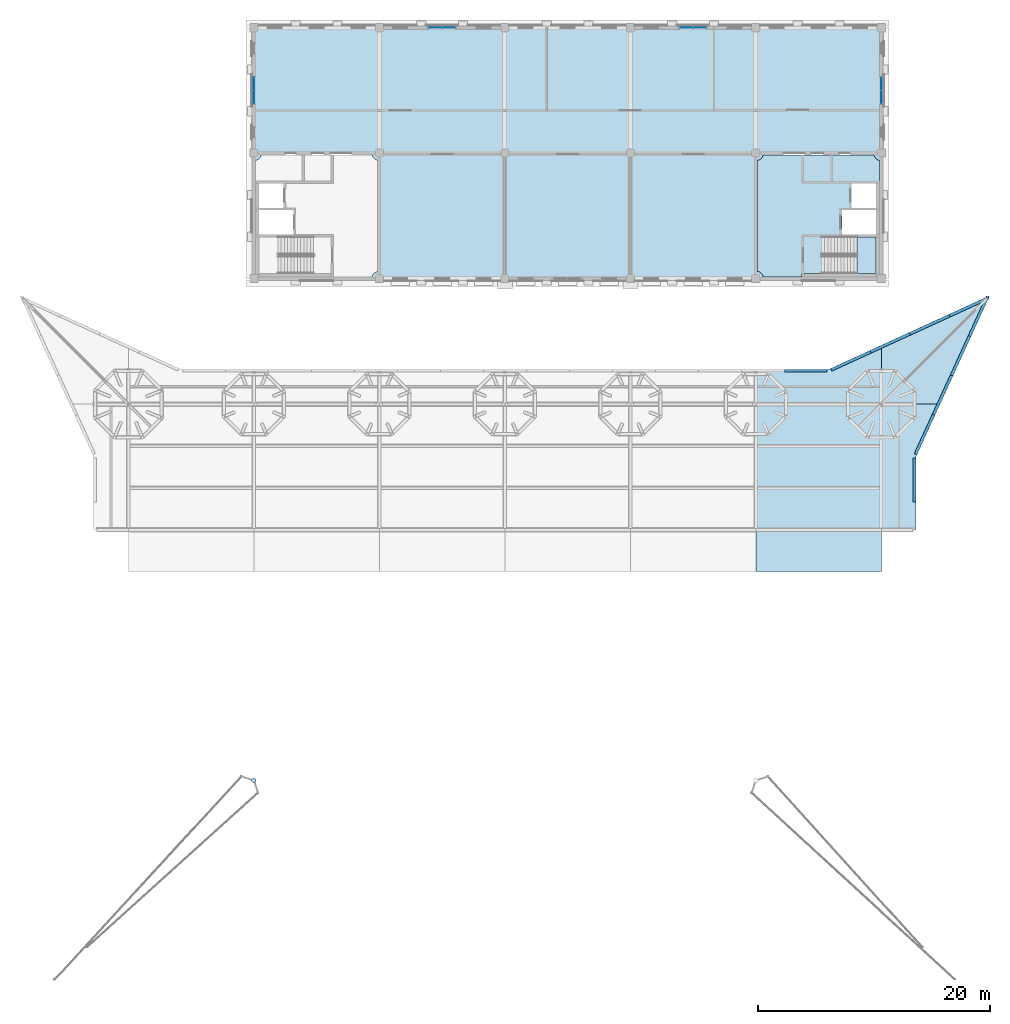
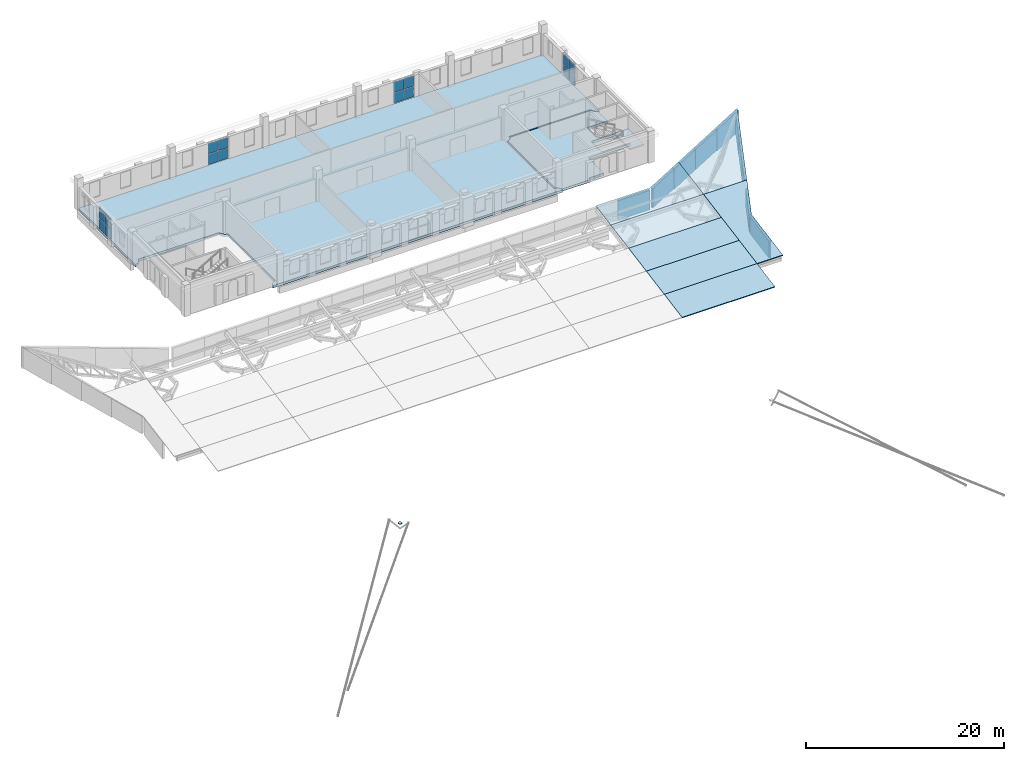
# One storey, part 14 of 32: 27 plates, 10 slabs, 5 elements without a shape of their own.
"""IFC4 building model written with IfcOpenShell, lengths in metres."""

from ifc_helpers import new_model, si_unit, direction, frame, origin, origin_2d, place, context, subcontext, project, spatial, polyline, rectangle, circle, outline, extrude, material, layer, layer_set, material_profile, profile_set, type_object, element, aggregate, save


model = new_model("IFC4")

# Units and contexts
model_context = context("Model", 3, precision=1e-05, world=origin(), true_north=direction((0.0, 1.0)))
body_context = subcontext(model_context, "Body", "Model", "MODEL_VIEW")
ifc_project = project(units=[si_unit("LENGTHUNIT", "METRE"), si_unit("AREAUNIT", "SQUARE_METRE"), si_unit("VOLUMEUNIT", "CUBIC_METRE"), si_unit("PLANEANGLEUNIT", "RADIAN"), si_unit("MASSUNIT", "GRAM", prefix="KILO")], contexts=[model_context])

# Site, building, storey
site_placement = place(None, origin())
site = spatial("IfcSite", under=ifc_project, at=site_placement, CompositionType="ELEMENT")
building_placement = place(site_placement, origin())
building = spatial("IfcBuilding", under=site, at=building_placement, Name="Magnolia Steps Interchange", CompositionType="ELEMENT")
storey_placement = place(building_placement, frame((0.0, 0.0, 16.5)))
storey = spatial("IfcBuildingStorey", under=building, at=storey_placement, Name="L04", CompositionType="ELEMENT", Elevation=16.5)

# Slabs
ifc_material_1 = material(Name="Concrete C30", Category="concrete")
ifc_layer_1 = layer(ifc_material_1, 0.10009765625)
ifc_layer_set_1 = layer_set([ifc_layer_1], Name="Composite roof deck 100")
slab_type_1 = type_object("IfcSlabType", Name="Composite roof deck 100", PredefinedType="ROOF", material=ifc_layer_set_1)
slab_1_placement = place(storey_placement, frame((118.0, 71.199951171875, -0.182861328125), z_axis=(0.0, -0.179912650592, 0.983682590146), x_axis=(0.0, 0.983682590146, 0.179912650592)))
element("IfcSlab", 1, at=slab_1_placement, inside=storey, type_object=slab_type_1, Name="Composite roof deck panel", PredefinedType="ROOF", context=body_context, shape_type="SweptSolid", body=[
    extrude(outline(polyline([(0.0, 0.0), (3.65981638, 0.0), (3.65981638, 10.800048828), (0.0, 10.800048828), (0.0, 0.0)])), origin(), (-0.179912650592, 0.0, -0.983682590146), 0.1015625),
])
slab_2_placement = place(storey_placement, frame((118.0, 74.800048828125, 0.4755859375), z_axis=(0.0, -0.179989009178, 0.983668621323), x_axis=(0.0, 0.983668621323, 0.179989009178)))
element("IfcSlab", 2, at=slab_2_placement, inside=storey, type_object=slab_type_1, Name="Composite roof deck panel", PredefinedType="ROOF", context=body_context, shape_type="SweptSolid", body=[
    extrude(outline(polyline([(0.0, 0.0), (3.659620158, 0.0), (3.659620158, 10.800048828), (0.0, 10.800048828), (0.0, 0.0)])), origin(), (-0.179989009178, 0.0, -0.983668621323), 0.1015625),
])
for number, where, z_axis, x_axis, name in (
    (3, (118.0, 78.39990234375, 1.13427734375), (0.0, -0.179912650592, 0.983682590146), (0.0, 0.983682590146, 0.179912650592), "Composite roof deck panel"),
    (4, (118.0, 82.0, 1.792724609375), (0.0, -0.179912650592, 0.983682590146), (0.0, 0.983682590146, 0.179912650592), "Composite roof deck panel"),
):
    element("IfcSlab", number, at=place(storey_placement, frame(where, z_axis=z_axis, x_axis=x_axis)), inside=storey, type_object=slab_type_1, Name=name, PredefinedType="ROOF", context=body_context, shape_type="SweptSolid", body=[
        extrude(outline(polyline([(0.0, 0.0), (3.65981638, 0.0), (3.65981638, 10.800048828), (0.0, 10.800048828), (0.0, 0.0)])), origin(), (-0.179912650592, 0.0, -0.983682590146), 0.1015625),
    ])
slab_3_placement = place(storey_placement, frame((107.199951171875, 88.60009765625, 3.0), z_axis=(-1.424793e-06, -0.179958171072, 0.983674263495), x_axis=(3e-12, -0.983674263496, -0.179958171072)))
element("IfcSlab", 5, at=slab_3_placement, inside=storey, type_object=slab_type_1, Name="Composite roof deck panel", PredefinedType="ROOF", context=body_context, shape_type="SweptSolid", body=[
    extrude(outline(polyline([(0.0, 0.0), (3.049788896, 0.0), (3.049788896, 10.800048828), (-2.09450257, 10.800048828), (0.0, 6.300048828), (0.0, 0.0)])), origin(), (0.179958171072, -1.401533e-06, -0.983674263495), 0.1015625),
])
slab_4_placement = place(storey_placement, frame((123.060302734375, 85.60009765625, 2.451171875), z_axis=(-2.2810252e-05, -0.179933892042, 0.983678704646), x_axis=(-0.99999999974, 4.104337e-06, -2.243796e-05)))
element("IfcSlab", 6, at=slab_4_placement, inside=storey, type_object=slab_type_1, Name="Composite roof deck panel", PredefinedType="ROOF", context=body_context, shape_type="SweptSolid", body=[
    extrude(outline(polyline([(0.0, 0.0), (5.060302733, 0.0), (5.060302734, 10.979252911), (2.060302735, 10.979252911), (2.060302731, 4.574639414), (0.0, 0.0)])), origin(), (2.243796e-05, 0.179933892089, -0.983678704646), 0.1015625),
])
slab_5_placement = place(storey_placement, frame((118.0, 90.660400390625, 3.376953125), z_axis=(4.539669e-06, -0.179958437245, 0.983674214791), x_axis=(2e-11, -0.983674214801, -0.179958437247)))
element("IfcSlab", 7, at=slab_5_placement, inside=storey, type_object=slab_type_1, Name="Composite roof deck panel", PredefinedType="ROOF", context=body_context, shape_type="SweptSolid", body=[
    extrude(outline(polyline([(0.0, 0.0), (5.144291466, 0.0), (5.144291466, 5.060302734), (-4.344350677, 9.333740235), (0.0, 0.0)])), origin(), (0.179958437247, 4.465551e-06, -0.983674214791), 0.1015625),
])
ifc_material_2 = material(Name="Concrete C35", Category="concrete")
ifc_layer_2 = layer(ifc_material_2, 0.300048828125)
ifc_layer_set_2 = layer_set([ifc_layer_2], Name="Core floor slab 300")
slab_type_2 = type_object("IfcSlabType", Name="Core floor slab 300", PredefinedType="FLOOR", material=ifc_layer_set_2)
slab_6_placement = place(storey_placement, frame((0.0, 0.0, -0.300048828125)))
element("IfcSlab", 8, at=slab_6_placement, inside=storey, type_object=slab_type_2, Name="L04 core floor OC-E", PredefinedType="FLOOR", context=body_context, shape_type="SweptSolid", body=[
    extrude(outline(polyline([(107.35009765625, 106.568359375), (107.388671875, 106.577880859375), (107.44873046875, 106.599609375), (107.50634765625, 106.626708984375), (107.56103515625, 106.659423828125), (107.6123046875, 106.697509765625), (107.65966796875, 106.740478515625), (107.702392578125, 106.78759765625), (107.740478515625, 106.8388671875), (107.773193359375, 106.8935546875), (107.800537109375, 106.951416015625), (107.822021484375, 107.01123046875), (107.831787109375, 107.050048828125), (117.368408203125, 107.050048828125), (117.3779296875, 107.01123046875), (117.3994140625, 106.951416015625), (117.4267578125, 106.8935546875), (117.45947265625, 106.8388671875), (117.49755859375, 106.78759765625), (117.540283203125, 106.740478515625), (117.587646484375, 106.697509765625), (117.638916015625, 106.659423828125), (117.693603515625, 106.626708984375), (117.751220703125, 106.599609375), (117.811279296875, 106.577880859375), (117.85009765625, 106.568359375), (117.85009765625, 104.60009765625), (115.449951171875, 104.60009765625), (115.449951171875, 102.5), (117.85009765625, 102.5), (117.85009765625, 102.300048828125), (114.60009765625, 102.300048828125), (114.60009765625, 100.199951171875), (117.85009765625, 100.199951171875), (117.85009765625, 100.0), (112.89990234375, 100.0), (112.89990234375, 96.85009765625), (111.14990234375, 96.85009765625), (111.14990234375, 96.550048828125), (107.831787109375, 96.550048828125), (107.822021484375, 96.588623046875), (107.800537109375, 96.648681640625), (107.773193359375, 96.706298828125), (107.740478515625, 96.760986328125), (107.702392578125, 96.8125), (107.65966796875, 96.859619140625), (107.6123046875, 96.902587890625), (107.56103515625, 96.9404296875), (107.50634765625, 96.97314453125), (107.44873046875, 97.00048828125), (107.388671875, 97.02197265625), (107.35009765625, 97.03173828125), (107.35009765625, 106.568359375)])), origin(), (0.0, 0.0, 1.0), 0.300048828125),
])

# Plate
ifc_material_3 = material(Name="Steel Q355B", Category="steel")
ifc_material_profile = material_profile(ifc_material_3, circle(Radius=0.202880859375, at=origin_2d()), Name="End plate CHS406x16")
ifc_profile_set = profile_set([ifc_material_profile], Name="Steel Q355B")
plate_type_1 = type_object("IfcPlateType", Name="End plate CHS406x16", PredefinedType="SHEET", material=ifc_profile_set)
plate_1_placement = place(storey_placement, frame((64.0, 53.199951171875, 0.548828125), z_axis=(0.0, 0.0, 1.0), x_axis=(1.0, 0.0, 0.0)))
element("IfcPlate", 9, at=plate_1_placement, inside=storey, type_object=plate_type_1, Name="End plate Mast", PredefinedType="SHEET", context=body_context, shape_type="SweptSolid", body=[
    extrude(circle(Radius=0.202880859375, at=origin_2d()), origin(), (0.0, 0.0, 1.0), 0.008056640625),
])

# Stair, slab
ifc_material_4 = material(Name="Concrete C40", Category="concrete")
stair_type = type_object("IfcStairType", Name="Exit stair 1500", PredefinedType="HALF_TURN_STAIR", material=ifc_material_4)
stair_placement = place(storey_placement, origin())
stair = element("IfcStair", 10, at=stair_placement, inside=storey, type_object=stair_type, Name="L04 Stair 29", PredefinedType="HALF_TURN_STAIR")
ifc_material_5 = material(Name="Concrete C40", Category="concrete")
ifc_layer_3 = layer(ifc_material_5, 0.199951171875)
ifc_layer_set_3 = layer_set([ifc_layer_3], Name="Exit stair landing 200")
slab_type_3 = type_object("IfcSlabType", Name="Exit stair landing 200", PredefinedType="LANDING", material=ifc_layer_set_3)
slab_7_placement = place(storey_placement, frame((0.0, 0.0, 1.75)))
slab_7 = element("IfcSlab", 11, at=slab_7_placement, type_object=slab_type_3, Name="Stair 29 landing 1", PredefinedType="LANDING", context=body_context, shape_type="SweptSolid", body=[
    extrude(outline(polyline([(115.929931640625, 96.85009765625), (117.550048828125, 96.85009765625), (117.550048828125, 100.0), (115.929931640625, 100.0), (115.929931640625, 96.85009765625)])), origin(), (0.0, 0.0, 1.0), 0.199951171875),
])
aggregate(stair, [slab_7])

# Plates
ifc_material_6 = material(Name="White painted steel", Category="steel")
ifc_layer_4 = layer(ifc_material_6, 0.25)
ifc_layer_set_4 = layer_set([ifc_layer_4], Name="Fascia plate 250")
plate_type_2 = type_object("IfcPlateType", Name="Fascia plate 250", PredefinedType="SHEET", material=ifc_layer_set_4)
plate_2_placement = place(storey_placement, frame((121.0, 77.183349609375, -1.2900390625), z_axis=(0.999999553009, -0.000170153121, 0.000930069921), x_axis=(2.965e-08, 0.983679608708, 0.179928951012)))
element("IfcPlate", 12, at=plate_2_placement, inside=storey, type_object=plate_type_2, Name="Sloping fascia plate", PredefinedType="SHEET", context=body_context, shape_type="SweptSolid", body=[
    extrude(outline(polyline([(0.0, 0.0), (3.829093873, 0.0), (4.206962241, 2.065824164), (0.37782444, 2.065584008), (0.0, 0.0)])), origin(), (0.0, 0.0, -1.0), 0.25),
])
plate_3_placement = place(storey_placement, frame((121.0625, 81.236328125, -0.648681640625), z_axis=(0.909162066015, -0.416441351258, 0.000968855491), x_axis=(0.41065506486, 0.896911287194, 0.164050481889)))
element("IfcPlate", 13, at=plate_3_placement, inside=storey, type_object=plate_type_2, Name="Sloping fascia plate", PredefinedType="SHEET", context=body_context, shape_type="SweptSolid", body=[
    extrude(outline(polyline([(0.0, 0.0), (3.780039104, 0.0), (4.140797011, 2.170171247), (0.361016931, 2.170375764), (0.0, 0.0)])), origin(), (0.0, 0.0, -1.0), 0.25),
])
plate_4_placement = place(storey_placement, frame((122.61474609375, 84.626708984375, -0.12841796875), z_axis=(0.909160861618, -0.416444124992, 0.000904688633), x_axis=(0.410666682478, 0.89690423194, 0.164059972663)))
element("IfcPlate", 14, at=plate_4_placement, inside=storey, type_object=plate_type_2, Name="Sloping fascia plate", PredefinedType="SHEET", context=body_context, shape_type="SweptSolid", body=[
    extrude(outline(polyline([(0.0, 0.0), (3.779820132, 0.0), (4.157020909, 2.268909107), (0.377160723, 2.268668275), (0.0, 0.0)])), origin(), (0.0, 0.0, -1.0), 0.25),
])
plate_5_placement = place(storey_placement, frame((124.1669921875, 88.016845703125, 0.3916015625), z_axis=(0.909190491769, -0.416379605768, 0.000820717919), x_axis=(0.410611488456, 0.896918941931, 0.164117692995)))
element("IfcPlate", 15, at=plate_5_placement, inside=storey, type_object=plate_type_2, Name="Sloping fascia plate", PredefinedType="SHEET", context=body_context, shape_type="SweptSolid", body=[
    extrude(outline(polyline([(0.0, 0.0), (3.779978915, 0.0), (4.173800546, 2.367369685), (0.393761451, 2.367627379), (0.0, 0.0)])), origin(), (0.0, 0.0, -1.0), 0.25),
])
plate_6_placement = place(storey_placement, frame((125.718994140625, 91.4072265625, 0.911865234375), z_axis=(0.909156657632, -0.416453540153, 0.000787894097), x_axis=(0.41069365803, 0.896892680382, 0.164055597685)))
element("IfcPlate", 16, at=plate_6_placement, inside=storey, type_object=plate_type_2, Name="Sloping fascia plate", PredefinedType="SHEET", context=body_context, shape_type="SweptSolid", body=[
    extrude(outline(polyline([(0.0, 0.0), (3.779920398, 0.0), (4.18991416, 2.466152764), (0.410094029, 2.466135911), (0.0, 0.0)])), origin(), (0.0, 0.0, -1.0), 0.25),
])
plate_7_placement = place(storey_placement, frame((127.197509765625, 94.871337890625, 1.445556640625), z_axis=(-0.41632169229, 0.909217050338, 0.000777113033), x_axis=(-0.906617372766, -0.415066430462, -0.075926264906)))
element("IfcPlate", 17, at=plate_7_placement, inside=storey, type_object=plate_type_2, Name="Sloping fascia plate", PredefinedType="SHEET", context=body_context, shape_type="SweptSolid", body=[
    extrude(outline(polyline([(0.0, 0.0), (3.739621598, 0.0), (3.542029868, 2.592579642), (-0.197269053, 2.592604307), (0.0, 0.0)])), origin(), (0.0, 0.0, -1.0), 0.25),
])
plate_8_placement = place(storey_placement, frame((123.80712890625, 93.319091796875, 1.26171875), z_axis=(-0.416347840579, 0.909205088087, 0.000763833307), x_axis=(-0.906604707699, -0.415093270825, -0.075930761181)))
element("IfcPlate", 18, at=plate_8_placement, inside=storey, type_object=plate_type_2, Name="Sloping fascia plate", PredefinedType="SHEET", context=body_context, shape_type="SweptSolid", body=[
    extrude(outline(polyline([(0.0, 0.0), (3.739400259, 0.0), (3.549618727, 2.492786879), (-0.190002871, 2.492770102), (0.0, 0.0)])), origin(), (0.0, 0.0, -1.0), 0.25),
])
plate_9_placement = place(storey_placement, frame((120.4169921875, 91.766845703125, 0.977783203125), z_axis=(-0.41634788605, 0.909205067265, 0.000763833308), x_axis=(-0.906600520198, -0.415091357339, -0.075991195797)))
element("IfcPlate", 19, at=plate_9_placement, inside=storey, type_object=plate_type_2, Name="Sloping fascia plate", PredefinedType="SHEET", context=body_context, shape_type="SweptSolid", body=[
    extrude(outline(polyline([(0.0, 0.0), (3.739640143, 0.0), (3.549486186, 2.492758581), (-0.189932619, 2.492775372), (0.0, 0.0)])), origin(), (0.0, 0.0, -1.0), 0.25),
])
plate_10_placement = place(storey_placement, frame((117.026611328125, 90.214599609375, 0.793701171875), z_axis=(-0.416350009492, 0.909204067597, 0.000795651646), x_axis=(-0.906604718573, -0.415093247159, -0.075930760728)))
element("IfcPlate", 20, at=plate_10_placement, inside=storey, type_object=plate_type_2, Name="Sloping fascia plate", PredefinedType="SHEET", context=body_context, shape_type="SweptSolid", body=[
    extrude(outline(polyline([(0.0, 0.0), (3.739400259, 0.0), (3.557200682, 2.39322166), (-0.182402379, 2.39296145), (0.0, 0.0)])), origin(), (0.0, 0.0, -1.0), 0.25),
])
plate_11_placement = place(storey_placement, frame((113.35009765625, 88.60009765625, 0.498291015625), z_axis=(0.0, 0.999999580956, 0.000915471084), x_axis=(-1.0, 0.0, 0.0)))
element("IfcPlate", 21, at=plate_11_placement, inside=storey, type_object=plate_type_2, Name="Sloping fascia plate", PredefinedType="SHEET", context=body_context, shape_type="SweptSolid", body=[
    extrude(outline(polyline([(0.0, 0.0), (3.700195312, 0.0), (3.700195312, 2.40014749), (0.0, 2.40014749), (0.0, 0.0)])), origin(), (0.0, 0.0, -1.0), 0.25),
])

# Slab
ifc_material_7 = material(Name="Concrete C40", Category="concrete")
ifc_layer_5 = layer(ifc_material_7, 0.300048828125)
ifc_layer_set_5 = layer_set([ifc_layer_5], Name="Floor slab 300")
slab_type_4 = type_object("IfcSlabType", Name="Floor slab 300", PredefinedType="FLOOR", material=ifc_layer_set_5)
slab_8_placement = place(storey_placement, frame((0.0, 0.0, -0.300048828125)))
element("IfcSlab", 22, at=slab_8_placement, inside=storey, type_object=slab_type_4, Name="Operations floor L04", PredefinedType="FLOOR", context=body_context, shape_type="SweptSolid", body=[
    extrude(outline(polyline([(64.0, 106.550048828125), (64.063720703125, 106.552978515625), (64.126708984375, 106.5625), (64.188720703125, 106.577880859375), (64.248779296875, 106.599609375), (64.306396484375, 106.626708984375), (64.361083984375, 106.659423828125), (64.412353515625, 106.697509765625), (64.459716796875, 106.740478515625), (64.50244140625, 106.78759765625), (64.54052734375, 106.8388671875), (64.5732421875, 106.8935546875), (64.6005859375, 106.951416015625), (64.6220703125, 107.01123046875), (64.637451171875, 107.0732421875), (64.64697265625, 107.13623046875), (64.64990234375, 107.199951171875), (74.14990234375, 107.199951171875), (74.153076171875, 107.13623046875), (74.16259765625, 107.0732421875), (74.177978515625, 107.01123046875), (74.199462890625, 106.951416015625), (74.226806640625, 106.8935546875), (74.259521484375, 106.8388671875), (74.297607421875, 106.78759765625), (74.34033203125, 106.740478515625), (74.3876953125, 106.697509765625), (74.43896484375, 106.659423828125), (74.49365234375, 106.626708984375), (74.55126953125, 106.599609375), (74.611328125, 106.577880859375), (74.673095703125, 106.5625), (74.736328125, 106.552978515625), (74.800048828125, 106.550048828125), (74.800048828125, 97.050048828125), (74.736328125, 97.046875), (74.673095703125, 97.03759765625), (74.611328125, 97.02197265625), (74.55126953125, 97.00048828125), (74.49365234375, 96.97314453125), (74.43896484375, 96.9404296875), (74.3876953125, 96.902587890625), (74.34033203125, 96.859619140625), (74.297607421875, 96.8125), (74.259521484375, 96.760986328125), (74.226806640625, 96.706298828125), (74.199462890625, 96.648681640625), (74.177978515625, 96.588623046875), (74.16259765625, 96.52685546875), (74.153076171875, 96.463623046875), (74.14990234375, 96.39990234375), (107.85009765625, 96.39990234375), (107.846923828125, 96.463623046875), (107.83740234375, 96.52685546875), (107.822021484375, 96.588623046875), (107.800537109375, 96.648681640625), (107.773193359375, 96.706298828125), (107.740478515625, 96.760986328125), (107.702392578125, 96.8125), (107.65966796875, 96.859619140625), (107.6123046875, 96.902587890625), (107.56103515625, 96.9404296875), (107.50634765625, 96.97314453125), (107.44873046875, 97.00048828125), (107.388671875, 97.02197265625), (107.326904296875, 97.03759765625), (107.263671875, 97.046875), (107.199951171875, 97.050048828125), (107.199951171875, 106.550048828125), (107.263671875, 106.552978515625), (107.326904296875, 106.5625), (107.388671875, 106.577880859375), (107.44873046875, 106.599609375), (107.50634765625, 106.626708984375), (107.56103515625, 106.659423828125), (107.6123046875, 106.697509765625), (107.65966796875, 106.740478515625), (107.702392578125, 106.78759765625), (107.740478515625, 106.8388671875), (107.773193359375, 106.8935546875), (107.800537109375, 106.951416015625), (107.822021484375, 107.01123046875), (107.83740234375, 107.0732421875), (107.846923828125, 107.13623046875), (107.85009765625, 107.199951171875), (117.35009765625, 107.199951171875), (117.35302734375, 107.13623046875), (117.362548828125, 107.0732421875), (117.3779296875, 107.01123046875), (117.3994140625, 106.951416015625), (117.4267578125, 106.8935546875), (117.45947265625, 106.8388671875), (117.49755859375, 106.78759765625), (117.540283203125, 106.740478515625), (117.587646484375, 106.697509765625), (117.638916015625, 106.659423828125), (117.693603515625, 106.626708984375), (117.751220703125, 106.599609375), (117.811279296875, 106.577880859375), (117.873291015625, 106.5625), (117.936279296875, 106.552978515625), (118.0, 106.550048828125), (118.0, 118.0), (64.0, 118.0), (64.0, 106.550048828125)])), origin(), (0.0, 0.0, 1.0), 0.300048828125),
])

# Curtain wall, plates
ifc_material_8 = material(Name="Powder-coated aluminium and glass", Category="aluminium")
ifc_layer_6 = layer(ifc_material_8, 0.199951171875)
ifc_layer_set_6 = layer_set([ifc_layer_6], Name="Glazed central bay curtain wall")
curtain_wall_type = type_object("IfcCurtainWallType", Name="Glazed central bay curtain wall", PredefinedType="NOTDEFINED", material=ifc_layer_set_6)
curtain_wall_1_placement = place(storey_placement, origin())
curtain_wall_1 = element("IfcCurtainWall", 23, at=curtain_wall_1_placement, inside=storey, type_object=curtain_wall_type, Name="Operations building north wall L04 glazing 2", PredefinedType="NOTDEFINED")
ifc_material_9 = material(Name="Laminated glass", Category="glass")
ifc_layer_7 = layer(ifc_material_9, 0.028076171875)
ifc_layer_set_7 = layer_set([ifc_layer_7], Name="Glass panel 28")
plate_type_3 = type_object("IfcPlateType", Name="Glass panel 28", PredefinedType="CURTAIN_PANEL", material=ifc_layer_set_7)
plate_12_placement = place(storey_placement, frame((79.614990234375, 118.0, 0.06005859375), z_axis=(0.0, 0.0, 1.0), x_axis=(1.0, 0.0, 0.0)))
plate_12 = element("IfcPlate", 24, at=plate_12_placement, type_object=plate_type_3, Name="CW2 panel 1.1", PredefinedType="CURTAIN_PANEL", context=body_context, shape_type="SweptSolid", body=[
    extrude(rectangle(XDim=1.110107421875, YDim=0.028076171875, at=origin_2d()), origin(), (0.0, 0.0, 1.0), 1.260009765625),
])
plate_13_placement = place(storey_placement, frame((79.614990234375, 118.0, 1.3798828125), z_axis=(0.0, 0.0, 1.0), x_axis=(1.0, 0.0, 0.0)))
plate_13 = element("IfcPlate", 25, at=plate_13_placement, type_object=plate_type_3, Name="CW2 panel 1.2", PredefinedType="CURTAIN_PANEL", context=body_context, shape_type="SweptSolid", body=[
    extrude(rectangle(XDim=1.110107421875, YDim=0.028076171875, at=origin_2d()), origin(), (0.0, 0.0, 1.0), 1.260009765625),
])
plate_14_placement = place(storey_placement, frame((80.784912109375, 118.0, 0.06005859375), z_axis=(0.0, 0.0, 1.0), x_axis=(1.0, 0.0, 0.0)))
plate_14 = element("IfcPlate", 26, at=plate_14_placement, type_object=plate_type_3, Name="CW2 panel 2.1", PredefinedType="CURTAIN_PANEL", context=body_context, shape_type="SweptSolid", body=[
    extrude(rectangle(XDim=1.110107421875, YDim=0.028076171875, at=origin_2d()), origin(), (0.0, 0.0, 1.0), 1.260009765625),
])
plate_15_placement = place(storey_placement, frame((80.784912109375, 118.0, 1.3798828125), z_axis=(0.0, 0.0, 1.0), x_axis=(1.0, 0.0, 0.0)))
plate_15 = element("IfcPlate", 27, at=plate_15_placement, type_object=plate_type_3, Name="CW2 panel 2.2", PredefinedType="CURTAIN_PANEL", context=body_context, shape_type="SweptSolid", body=[
    extrude(rectangle(XDim=1.110107421875, YDim=0.028076171875, at=origin_2d()), origin(), (0.0, 0.0, 1.0), 1.260009765625),
])
aggregate(curtain_wall_1, [plate_12, plate_13, plate_14, plate_15])

curtain_wall_2_placement = place(storey_placement, origin())
curtain_wall_2 = element("IfcCurtainWall", 28, at=curtain_wall_2_placement, inside=storey, type_object=curtain_wall_type, Name="Operations building north wall L04 glazing 4", PredefinedType="NOTDEFINED")
plate_16_placement = place(storey_placement, frame((101.215087890625, 118.0, 0.06005859375), z_axis=(0.0, 0.0, 1.0), x_axis=(1.0, 0.0, 0.0)))
plate_16 = element("IfcPlate", 29, at=plate_16_placement, type_object=plate_type_3, Name="CW2 panel 1.1", PredefinedType="CURTAIN_PANEL", context=body_context, shape_type="SweptSolid", body=[
    extrude(rectangle(XDim=1.110107421875, YDim=0.028076171875, at=origin_2d()), origin(), (0.0, 0.0, 1.0), 1.260009765625),
])
plate_17_placement = place(storey_placement, frame((101.215087890625, 118.0, 1.3798828125), z_axis=(0.0, 0.0, 1.0), x_axis=(1.0, 0.0, 0.0)))
plate_17 = element("IfcPlate", 30, at=plate_17_placement, type_object=plate_type_3, Name="CW2 panel 1.2", PredefinedType="CURTAIN_PANEL", context=body_context, shape_type="SweptSolid", body=[
    extrude(rectangle(XDim=1.110107421875, YDim=0.028076171875, at=origin_2d()), origin(), (0.0, 0.0, 1.0), 1.260009765625),
])
plate_18_placement = place(storey_placement, frame((102.385009765625, 118.0, 0.06005859375), z_axis=(0.0, 0.0, 1.0), x_axis=(1.0, 0.0, 0.0)))
plate_18 = element("IfcPlate", 31, at=plate_18_placement, type_object=plate_type_3, Name="CW2 panel 2.1", PredefinedType="CURTAIN_PANEL", context=body_context, shape_type="SweptSolid", body=[
    extrude(rectangle(XDim=1.110107421875, YDim=0.028076171875, at=origin_2d()), origin(), (0.0, 0.0, 1.0), 1.260009765625),
])
plate_19_placement = place(storey_placement, frame((102.385009765625, 118.0, 1.3798828125), z_axis=(0.0, 0.0, 1.0), x_axis=(1.0, 0.0, 0.0)))
plate_19 = element("IfcPlate", 32, at=plate_19_placement, type_object=plate_type_3, Name="CW2 panel 2.2", PredefinedType="CURTAIN_PANEL", context=body_context, shape_type="SweptSolid", body=[
    extrude(rectangle(XDim=1.110107421875, YDim=0.028076171875, at=origin_2d()), origin(), (0.0, 0.0, 1.0), 1.260009765625),
])
aggregate(curtain_wall_2, [plate_16, plate_17, plate_18, plate_19])

curtain_wall_3_placement = place(storey_placement, origin())
curtain_wall_3 = element("IfcCurtainWall", 33, at=curtain_wall_3_placement, inside=storey, type_object=curtain_wall_type, Name="Operations building west wall L04 glazing 2", PredefinedType="NOTDEFINED")
plate_20_placement = place(storey_placement, frame((64.0, 112.014892578125, 0.06005859375), z_axis=(0.0, 0.0, 1.0), x_axis=(0.0, 1.0, 0.0)))
plate_20 = element("IfcPlate", 34, at=plate_20_placement, type_object=plate_type_3, Name="CW2 panel 1.1", PredefinedType="CURTAIN_PANEL", context=body_context, shape_type="SweptSolid", body=[
    extrude(rectangle(XDim=1.110107421875, YDim=0.028076171875, at=origin_2d()), origin(), (0.0, 0.0, 1.0), 1.260009765625),
])
plate_21_placement = place(storey_placement, frame((64.0, 112.014892578125, 1.3798828125), z_axis=(0.0, 0.0, 1.0), x_axis=(0.0, 1.0, 0.0)))
plate_21 = element("IfcPlate", 35, at=plate_21_placement, type_object=plate_type_3, Name="CW2 panel 1.2", PredefinedType="CURTAIN_PANEL", context=body_context, shape_type="SweptSolid", body=[
    extrude(rectangle(XDim=1.110107421875, YDim=0.028076171875, at=origin_2d()), origin(), (0.0, 0.0, 1.0), 1.260009765625),
])
plate_22_placement = place(storey_placement, frame((64.0, 113.18505859375, 0.06005859375), z_axis=(0.0, 0.0, 1.0), x_axis=(0.0, 1.0, 0.0)))
plate_22 = element("IfcPlate", 36, at=plate_22_placement, type_object=plate_type_3, Name="CW2 panel 2.1", PredefinedType="CURTAIN_PANEL", context=body_context, shape_type="SweptSolid", body=[
    extrude(rectangle(XDim=1.110107421875, YDim=0.028076171875, at=origin_2d()), origin(), (0.0, 0.0, 1.0), 1.260009765625),
])
plate_23_placement = place(storey_placement, frame((64.0, 113.18505859375, 1.3798828125), z_axis=(0.0, 0.0, 1.0), x_axis=(0.0, 1.0, 0.0)))
plate_23 = element("IfcPlate", 37, at=plate_23_placement, type_object=plate_type_3, Name="CW2 panel 2.2", PredefinedType="CURTAIN_PANEL", context=body_context, shape_type="SweptSolid", body=[
    extrude(rectangle(XDim=1.110107421875, YDim=0.028076171875, at=origin_2d()), origin(), (0.0, 0.0, 1.0), 1.260009765625),
])
aggregate(curtain_wall_3, [plate_20, plate_21, plate_22, plate_23])

curtain_wall_4_placement = place(storey_placement, origin())
curtain_wall_4 = element("IfcCurtainWall", 38, at=curtain_wall_4_placement, inside=storey, type_object=curtain_wall_type, Name="Operations building east wall L04 glazing 2", PredefinedType="NOTDEFINED")
plate_24_placement = place(storey_placement, frame((118.0, 112.014892578125, 0.06005859375), z_axis=(0.0, 0.0, 1.0), x_axis=(0.0, 1.0, 0.0)))
plate_24 = element("IfcPlate", 39, at=plate_24_placement, type_object=plate_type_3, Name="CW2 panel 1.1", PredefinedType="CURTAIN_PANEL", context=body_context, shape_type="SweptSolid", body=[
    extrude(rectangle(XDim=1.110107421875, YDim=0.028076171875, at=origin_2d()), origin(), (0.0, 0.0, 1.0), 1.260009765625),
])
plate_25_placement = place(storey_placement, frame((118.0, 112.014892578125, 1.3798828125), z_axis=(0.0, 0.0, 1.0), x_axis=(0.0, 1.0, 0.0)))
plate_25 = element("IfcPlate", 40, at=plate_25_placement, type_object=plate_type_3, Name="CW2 panel 1.2", PredefinedType="CURTAIN_PANEL", context=body_context, shape_type="SweptSolid", body=[
    extrude(rectangle(XDim=1.110107421875, YDim=0.028076171875, at=origin_2d()), origin(), (0.0, 0.0, 1.0), 1.260009765625),
])
plate_26_placement = place(storey_placement, frame((118.0, 113.18505859375, 0.06005859375), z_axis=(0.0, 0.0, 1.0), x_axis=(0.0, 1.0, 0.0)))
plate_26 = element("IfcPlate", 41, at=plate_26_placement, type_object=plate_type_3, Name="CW2 panel 2.1", PredefinedType="CURTAIN_PANEL", context=body_context, shape_type="SweptSolid", body=[
    extrude(rectangle(XDim=1.110107421875, YDim=0.028076171875, at=origin_2d()), origin(), (0.0, 0.0, 1.0), 1.260009765625),
])
plate_27_placement = place(storey_placement, frame((118.0, 113.18505859375, 1.3798828125), z_axis=(0.0, 0.0, 1.0), x_axis=(0.0, 1.0, 0.0)))
plate_27 = element("IfcPlate", 42, at=plate_27_placement, type_object=plate_type_3, Name="CW2 panel 2.2", PredefinedType="CURTAIN_PANEL", context=body_context, shape_type="SweptSolid", body=[
    extrude(rectangle(XDim=1.110107421875, YDim=0.028076171875, at=origin_2d()), origin(), (0.0, 0.0, 1.0), 1.260009765625),
])
aggregate(curtain_wall_4, [plate_24, plate_25, plate_26, plate_27])

save(model, "model.ifc")
